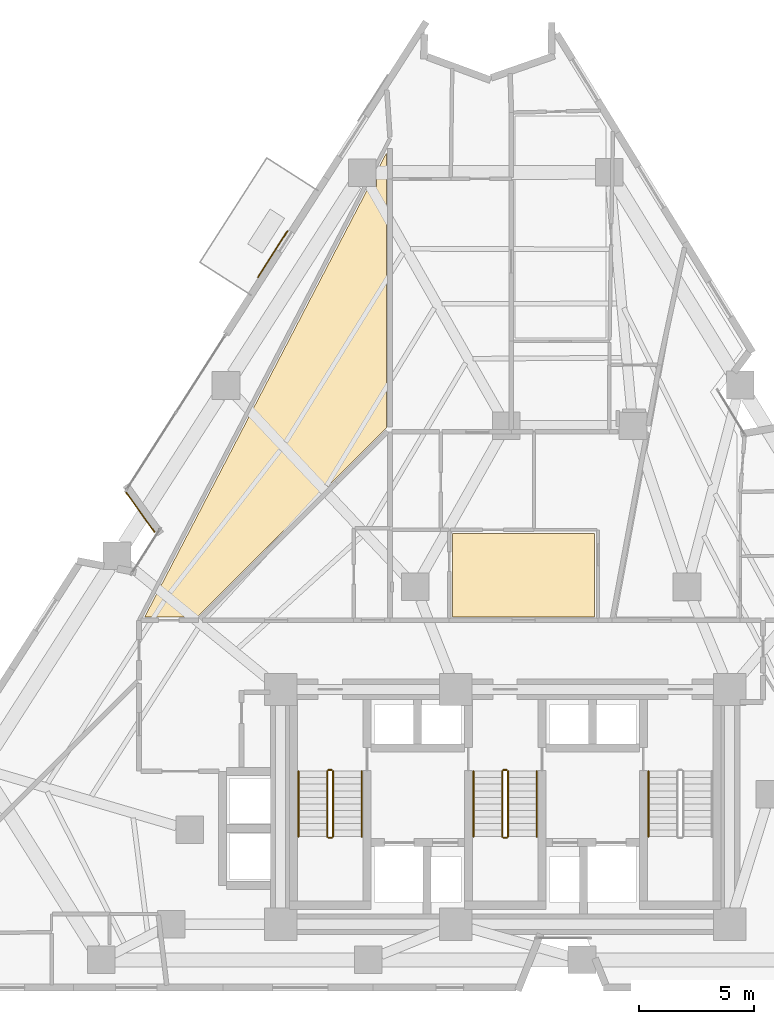
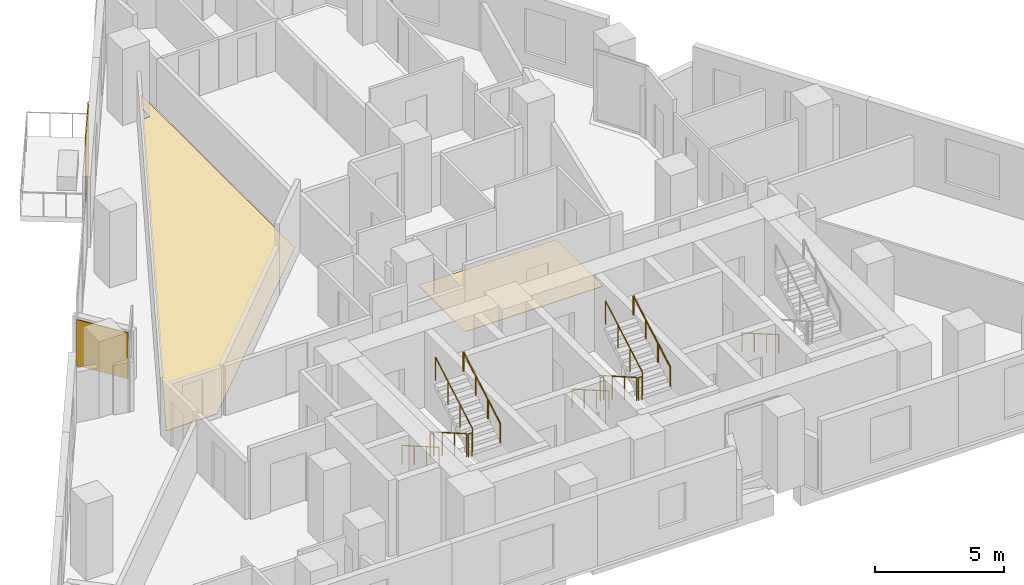
# One storey, part 11 of 13: 13 railings, 4 coverings.
"""IFC4 building model written with IfcOpenShell, lengths in metres."""

from ifc_helpers import new_model, si_unit, direction, frame, origin, origin_2d, place, context, subcontext, project, spatial, polyline, rectangle, circle, outline, extrude, material, layer, layer_set, type_object, element, save


model = new_model("IFC4")

# Units and contexts
model_context = context("Model", 3, precision=1e-05, world=origin(), true_north=direction((0.0, 1.0)))
body_context = subcontext(model_context, "Body", "Model", "MODEL_VIEW")
ifc_project = project(units=[si_unit("LENGTHUNIT", "METRE"), si_unit("AREAUNIT", "SQUARE_METRE"), si_unit("VOLUMEUNIT", "CUBIC_METRE"), si_unit("PLANEANGLEUNIT", "RADIAN"), si_unit("MASSUNIT", "GRAM", prefix="KILO")], contexts=[model_context])

# Site, building, storey
site_placement = place(None, origin())
site = spatial("IfcSite", under=ifc_project, at=site_placement, CompositionType="ELEMENT")
building_placement = place(site_placement, origin())
building = spatial("IfcBuilding", under=site, at=building_placement, Name="Almagre Mirador Tower", CompositionType="ELEMENT")
storey_placement = place(building_placement, frame((0.0, 0.0, 82.199951171875)))
storey = spatial("IfcBuildingStorey", under=building, at=storey_placement, Name="L20", CompositionType="ELEMENT", Elevation=82.199951171875)

# Coverings
ifc_material_1 = material(Name="Almagre terracotta architectural cladding", Category="masonry")
ifc_layer_1 = layer(ifc_material_1, 0.044921875)
ifc_layer_set_1 = layer_set([ifc_layer_1], Name="Almagre terracotta architectural cladding")
covering_type_1 = type_object("IfcCoveringType", Name="COV-CLAD-ALMAGRE", PredefinedType="CLADDING", material=ifc_layer_set_1)
covering_1_placement = place(storey_placement, frame((21.4404296875, 22.4638671875, 0.10009765625), z_axis=(0.0, 0.0, 1.0), x_axis=(-0.583186817535, 0.812338067466, 0.0)))
element("IfcCovering", 1, at=covering_1_placement, inside=storey, type_object=covering_type_1, Name="L20 almagre terracotta pier cladding", PredefinedType="CLADDING", context=body_context, shape_type="SweptSolid", body=[
    extrude(rectangle(XDim=2.193115234375, YDim=0.044921875, at=origin_2d()), origin(), (0.0, 0.0, 1.0), 2.175048828125),
])
covering_2_placement = place(storey_placement, frame((27.205322265625, 33.656005859375, 0.10009765625), z_axis=(0.0, 0.0, 1.0), x_axis=(0.53944697543, 0.842019572635, 0.0)))
element("IfcCovering", 2, at=covering_2_placement, inside=storey, type_object=covering_type_1, Name="L20 almagre terracotta pier cladding", PredefinedType="CLADDING", context=body_context, shape_type="SweptSolid", body=[
    extrude(rectangle(XDim=2.39990234375, YDim=0.044921875, at=origin_2d()), origin(), (0.0, 0.0, 1.0), 3.14990234375),
])
ifc_material_2 = material(Name="Engineered white oak flooring", Category="wood")
ifc_layer_2 = layer(ifc_material_2, 0.01806640625)
ifc_layer_set_2 = layer_set([ifc_layer_2], Name="Engineered white oak flooring")
covering_type_2 = type_object("IfcCoveringType", Name="COV-FLR-OAK-18", PredefinedType="FLOORING", material=ifc_layer_set_2)
covering_3_placement = place(storey_placement, origin())
element("IfcCovering", 3, at=covering_3_placement, inside=storey, type_object=covering_type_2, Name="L20 L20 Residents Reading Gallery G finish flooring", PredefinedType="FLOORING", context=body_context, shape_type="SweptSolid", body=[
    extrude(outline(polyline([(23.927978515625, 17.89990234375), (21.64697265625, 17.89990234375), (31.382080078125, 36.583984375), (31.702880859375, 36.583984375), (31.702880859375, 37.199951171875), (32.14990234375, 38.056884765625), (32.14990234375, 26.1220703125), (23.927978515625, 17.89990234375)])), origin(), (0.0, 0.0, 1.0), 0.01806640625),
])
covering_4_placement = place(storey_placement, origin())
element("IfcCovering", 4, at=covering_4_placement, inside=storey, type_object=covering_type_2, Name="L20 Unit L20-H Living and Dining Room finish flooring", PredefinedType="FLOORING", context=body_context, shape_type="SweptSolid", body=[
    extrude(outline(polyline([(35.02001953125, 21.530029296875), (41.18994140625, 21.530029296875), (41.18994140625, 17.89990234375), (35.02001953125, 17.89990234375), (35.02001953125, 21.530029296875)])), origin(), (0.0, 0.0, 1.0), 0.01806640625),
])

# Railings
ifc_material_3 = material(Name="Painted galvanized steel", Category="steel")
railing_type_1 = type_object("IfcRailingType", Name="RLG-GRD-1100", PredefinedType="GUARDRAIL", material=ifc_material_3)
railing_1_placement = place(storey_placement, frame((29.574951171875, 11.199951171875, 0.16357421875)))
element("IfcRailing", 5, at=railing_1_placement, inside=storey, type_object=railing_type_1, Name="L20 ST-1 stair guard 1", PredefinedType="GUARDRAIL", context=body_context, shape_type="SweptSolid", body=[
    extrude(circle(Radius=0.02392578125, at=origin_2d()), frame((0.0, 0.0, 1.09619140625), z_axis=(0.0, -0.867194282975, 0.497969954491), x_axis=(1.0, 0.0, 0.0)), (0.0, 0.0, 1.0), 3.286376953125),
    extrude(circle(Radius=0.02099609375, at=origin_2d()), origin(), (0.0, 0.0, 1.0), 1.072021484375),
    extrude(circle(Radius=0.02099609375, at=origin_2d()), frame((0.0, -0.949951171875, 0.54541015625)), (0.0, 0.0, 1.0), 1.072021484375),
    extrude(circle(Radius=0.02099609375, at=origin_2d()), frame((0.0, -1.89990234375, 1.091064453125)), (0.0, 0.0, 1.0), 1.072021484375),
    extrude(circle(Radius=0.02099609375, at=origin_2d()), frame((0.0, -2.849853515625, 1.636474609375)), (0.0, 0.0, 1.0), 1.072021484375),
])
railing_2_placement = place(storey_placement, frame((29.625, 8.300048828125, 1.800048828125)))
element("IfcRailing", 6, at=railing_2_placement, inside=storey, type_object=railing_type_1, Name="L20 ST-1 stair guard 2", PredefinedType="GUARDRAIL", context=body_context, shape_type="SweptSolid", body=[
    extrude(circle(Radius=0.02392578125, at=origin_2d()), frame((0.0, 0.0, 1.09619140625), z_axis=(1.0, 0.0, 0.0), x_axis=(0.0, 1.0, 0.0)), (0.0, 0.0, 1.0), 0.14990234375),
    extrude(circle(Radius=0.02099609375, at=origin_2d()), origin(), (0.0, 0.0, 1.0), 1.072021484375),
    extrude(circle(Radius=0.02099609375, at=origin_2d()), frame((0.14990234375, 0.0, 0.0)), (0.0, 0.0, 1.0), 1.072021484375),
])
railing_3_placement = place(storey_placement, frame((29.824951171875, 8.35009765625, 1.963623046875)))
element("IfcRailing", 7, at=railing_3_placement, inside=storey, type_object=railing_type_1, Name="L20 ST-1 stair guard 3", PredefinedType="GUARDRAIL", context=body_context, shape_type="SweptSolid", body=[
    extrude(circle(Radius=0.02392578125, at=origin_2d()), frame((0.0, 0.0, 1.09619140625), z_axis=(0.0, 0.867194282975, 0.497969954491), x_axis=(-1.0, 0.0, 0.0)), (0.0, 0.0, 1.0), 3.286376953125),
    extrude(circle(Radius=0.02099609375, at=origin_2d()), origin(), (0.0, 0.0, 1.0), 1.072021484375),
    extrude(circle(Radius=0.02099609375, at=origin_2d()), frame((0.0, 0.949951171875, 0.54541015625)), (0.0, 0.0, 1.0), 1.072021484375),
    extrude(circle(Radius=0.02099609375, at=origin_2d()), frame((0.0, 1.89990234375, 1.091064453125)), (0.0, 0.0, 1.0), 1.072021484375),
    extrude(circle(Radius=0.02099609375, at=origin_2d()), frame((0.0, 2.849853515625, 1.636474609375)), (0.0, 0.0, 1.0), 1.072021484375),
])
railing_4_placement = place(storey_placement, frame((29.625, 11.25, 0.0)))
element("IfcRailing", 8, at=railing_4_placement, inside=storey, type_object=railing_type_1, Name="L20 ST-1 stair guard 4", PredefinedType="GUARDRAIL", context=body_context, shape_type="SweptSolid", body=[
    extrude(circle(Radius=0.02392578125, at=origin_2d()), frame((0.0, 0.0, 1.09619140625), z_axis=(1.0, 0.0, 0.0), x_axis=(0.0, 1.0, 0.0)), (0.0, 0.0, 1.0), 0.14990234375),
    extrude(circle(Radius=0.02099609375, at=origin_2d()), origin(), (0.0, 0.0, 1.0), 1.072021484375),
    extrude(circle(Radius=0.02099609375, at=origin_2d()), frame((0.14990234375, 0.0, 0.0)), (0.0, 0.0, 1.0), 1.072021484375),
])
railing_5_placement = place(storey_placement, frame((37.175048828125, 11.199951171875, 0.16357421875)))
element("IfcRailing", 9, at=railing_5_placement, inside=storey, type_object=railing_type_1, Name="L20 ST-2 stair guard 1", PredefinedType="GUARDRAIL", context=body_context, shape_type="SweptSolid", body=[
    extrude(circle(Radius=0.02392578125, at=origin_2d()), frame((0.0, 0.0, 1.09619140625), z_axis=(0.0, -0.867194282975, 0.497969954491), x_axis=(1.0, 0.0, 0.0)), (0.0, 0.0, 1.0), 3.286376953125),
    extrude(circle(Radius=0.02099609375, at=origin_2d()), origin(), (0.0, 0.0, 1.0), 1.072021484375),
    extrude(circle(Radius=0.02099609375, at=origin_2d()), frame((0.0, -0.949951171875, 0.54541015625)), (0.0, 0.0, 1.0), 1.072021484375),
    extrude(circle(Radius=0.02099609375, at=origin_2d()), frame((0.0, -1.89990234375, 1.091064453125)), (0.0, 0.0, 1.0), 1.072021484375),
    extrude(circle(Radius=0.02099609375, at=origin_2d()), frame((0.0, -2.849853515625, 1.636474609375)), (0.0, 0.0, 1.0), 1.072021484375),
])
railing_6_placement = place(storey_placement, frame((37.22509765625, 8.300048828125, 1.800048828125)))
element("IfcRailing", 10, at=railing_6_placement, inside=storey, type_object=railing_type_1, Name="L20 ST-2 stair guard 2", PredefinedType="GUARDRAIL", context=body_context, shape_type="SweptSolid", body=[
    extrude(circle(Radius=0.02392578125, at=origin_2d()), frame((0.0, 0.0, 1.09619140625), z_axis=(1.0, 0.0, 0.0), x_axis=(0.0, 1.0, 0.0)), (0.0, 0.0, 1.0), 0.14990234375),
    extrude(circle(Radius=0.02099609375, at=origin_2d()), origin(), (0.0, 0.0, 1.0), 1.072021484375),
    extrude(circle(Radius=0.02099609375, at=origin_2d()), frame((0.14990234375, 0.0, 0.0)), (0.0, 0.0, 1.0), 1.072021484375),
])
railing_7_placement = place(storey_placement, frame((37.425048828125, 8.35009765625, 1.963623046875)))
element("IfcRailing", 11, at=railing_7_placement, inside=storey, type_object=railing_type_1, Name="L20 ST-2 stair guard 3", PredefinedType="GUARDRAIL", context=body_context, shape_type="SweptSolid", body=[
    extrude(circle(Radius=0.02392578125, at=origin_2d()), frame((0.0, 0.0, 1.09619140625), z_axis=(0.0, 0.867194282975, 0.497969954491), x_axis=(-1.0, 0.0, 0.0)), (0.0, 0.0, 1.0), 3.286376953125),
    extrude(circle(Radius=0.02099609375, at=origin_2d()), origin(), (0.0, 0.0, 1.0), 1.072021484375),
    extrude(circle(Radius=0.02099609375, at=origin_2d()), frame((0.0, 0.949951171875, 0.54541015625)), (0.0, 0.0, 1.0), 1.072021484375),
    extrude(circle(Radius=0.02099609375, at=origin_2d()), frame((0.0, 1.89990234375, 1.091064453125)), (0.0, 0.0, 1.0), 1.072021484375),
    extrude(circle(Radius=0.02099609375, at=origin_2d()), frame((0.0, 2.849853515625, 1.636474609375)), (0.0, 0.0, 1.0), 1.072021484375),
])
railing_8_placement = place(storey_placement, frame((37.22509765625, 11.25, 0.0)))
element("IfcRailing", 12, at=railing_8_placement, inside=storey, type_object=railing_type_1, Name="L20 ST-2 stair guard 4", PredefinedType="GUARDRAIL", context=body_context, shape_type="SweptSolid", body=[
    extrude(circle(Radius=0.02392578125, at=origin_2d()), frame((0.0, 0.0, 1.09619140625), z_axis=(1.0, 0.0, 0.0), x_axis=(0.0, 1.0, 0.0)), (0.0, 0.0, 1.0), 0.14990234375),
    extrude(circle(Radius=0.02099609375, at=origin_2d()), origin(), (0.0, 0.0, 1.0), 1.072021484375),
    extrude(circle(Radius=0.02099609375, at=origin_2d()), frame((0.14990234375, 0.0, 0.0)), (0.0, 0.0, 1.0), 1.072021484375),
])
ifc_material_4 = material(Name="Brushed stainless steel", Category="steel")
railing_type_2 = type_object("IfcRailingType", Name="RLG-HND-915", PredefinedType="HANDRAIL", material=ifc_material_4)
railing_9_placement = place(storey_placement, frame((28.324951171875, 11.199951171875, 0.16357421875)))
element("IfcRailing", 13, at=railing_9_placement, inside=storey, type_object=railing_type_2, Name="L20 ST-1 stair handrail 1", PredefinedType="HANDRAIL", context=body_context, shape_type="SweptSolid", body=[
    extrude(circle(Radius=0.02392578125, at=origin_2d()), frame((0.0, 0.0, 0.89111328125), z_axis=(0.0, -0.867194282975, 0.497969954491), x_axis=(1.0, 0.0, 0.0)), (0.0, 0.0, 1.0), 3.286376953125),
    extrude(circle(Radius=0.02099609375, at=origin_2d()), origin(), (0.0, 0.0, 1.0), 0.866943359375),
    extrude(circle(Radius=0.02099609375, at=origin_2d()), frame((0.0, -0.949951171875, 0.54541015625)), (0.0, 0.0, 1.0), 0.866943359375),
    extrude(circle(Radius=0.02099609375, at=origin_2d()), frame((0.0, -1.89990234375, 1.091064453125)), (0.0, 0.0, 1.0), 0.866943359375),
    extrude(circle(Radius=0.02099609375, at=origin_2d()), frame((0.0, -2.849853515625, 1.636474609375)), (0.0, 0.0, 1.0), 0.866943359375),
])
railing_10_placement = place(storey_placement, frame((31.074951171875, 8.35009765625, 1.963623046875)))
element("IfcRailing", 14, at=railing_10_placement, inside=storey, type_object=railing_type_2, Name="L20 ST-1 stair handrail 2", PredefinedType="HANDRAIL", context=body_context, shape_type="SweptSolid", body=[
    extrude(circle(Radius=0.02392578125, at=origin_2d()), frame((0.0, 0.0, 0.89111328125), z_axis=(0.0, 0.867194282975, 0.497969954491), x_axis=(-1.0, 0.0, 0.0)), (0.0, 0.0, 1.0), 3.286376953125),
    extrude(circle(Radius=0.02099609375, at=origin_2d()), origin(), (0.0, 0.0, 1.0), 0.866943359375),
    extrude(circle(Radius=0.02099609375, at=origin_2d()), frame((0.0, 0.949951171875, 0.54541015625)), (0.0, 0.0, 1.0), 0.866943359375),
    extrude(circle(Radius=0.02099609375, at=origin_2d()), frame((0.0, 1.89990234375, 1.091064453125)), (0.0, 0.0, 1.0), 0.866943359375),
    extrude(circle(Radius=0.02099609375, at=origin_2d()), frame((0.0, 2.849853515625, 1.636474609375)), (0.0, 0.0, 1.0), 0.866943359375),
])
railing_11_placement = place(storey_placement, frame((35.925048828125, 11.199951171875, 0.16357421875)))
element("IfcRailing", 15, at=railing_11_placement, inside=storey, type_object=railing_type_2, Name="L20 ST-2 stair handrail 1", PredefinedType="HANDRAIL", context=body_context, shape_type="SweptSolid", body=[
    extrude(circle(Radius=0.02392578125, at=origin_2d()), frame((0.0, 0.0, 0.89111328125), z_axis=(0.0, -0.867194282975, 0.497969954491), x_axis=(1.0, 0.0, 0.0)), (0.0, 0.0, 1.0), 3.286376953125),
    extrude(circle(Radius=0.02099609375, at=origin_2d()), origin(), (0.0, 0.0, 1.0), 0.866943359375),
    extrude(circle(Radius=0.02099609375, at=origin_2d()), frame((0.0, -0.949951171875, 0.54541015625)), (0.0, 0.0, 1.0), 0.866943359375),
    extrude(circle(Radius=0.02099609375, at=origin_2d()), frame((0.0, -1.89990234375, 1.091064453125)), (0.0, 0.0, 1.0), 0.866943359375),
    extrude(circle(Radius=0.02099609375, at=origin_2d()), frame((0.0, -2.849853515625, 1.636474609375)), (0.0, 0.0, 1.0), 0.866943359375),
])
railing_12_placement = place(storey_placement, frame((38.675048828125, 8.35009765625, 1.963623046875)))
element("IfcRailing", 16, at=railing_12_placement, inside=storey, type_object=railing_type_2, Name="L20 ST-2 stair handrail 2", PredefinedType="HANDRAIL", context=body_context, shape_type="SweptSolid", body=[
    extrude(circle(Radius=0.02392578125, at=origin_2d()), frame((0.0, 0.0, 0.89111328125), z_axis=(0.0, 0.867194282975, 0.497969954491), x_axis=(-1.0, 0.0, 0.0)), (0.0, 0.0, 1.0), 3.286376953125),
    extrude(circle(Radius=0.02099609375, at=origin_2d()), origin(), (0.0, 0.0, 1.0), 0.866943359375),
    extrude(circle(Radius=0.02099609375, at=origin_2d()), frame((0.0, 0.949951171875, 0.54541015625)), (0.0, 0.0, 1.0), 0.866943359375),
    extrude(circle(Radius=0.02099609375, at=origin_2d()), frame((0.0, 1.89990234375, 1.091064453125)), (0.0, 0.0, 1.0), 0.866943359375),
    extrude(circle(Radius=0.02099609375, at=origin_2d()), frame((0.0, 2.849853515625, 1.636474609375)), (0.0, 0.0, 1.0), 0.866943359375),
])
railing_13_placement = place(storey_placement, frame((43.52490234375, 11.199951171875, 0.16357421875)))
element("IfcRailing", 17, at=railing_13_placement, inside=storey, type_object=railing_type_2, Name="L20 ST-3 stair handrail 1", PredefinedType="HANDRAIL", context=body_context, shape_type="SweptSolid", body=[
    extrude(circle(Radius=0.02392578125, at=origin_2d()), frame((0.0, 0.0, 0.89111328125), z_axis=(0.0, -0.867194282975, 0.497969954491), x_axis=(1.0, 0.0, 0.0)), (0.0, 0.0, 1.0), 3.286376953125),
    extrude(circle(Radius=0.02099609375, at=origin_2d()), origin(), (0.0, 0.0, 1.0), 0.866943359375),
    extrude(circle(Radius=0.02099609375, at=origin_2d()), frame((0.0, -0.949951171875, 0.54541015625)), (0.0, 0.0, 1.0), 0.866943359375),
    extrude(circle(Radius=0.02099609375, at=origin_2d()), frame((0.0, -1.89990234375, 1.091064453125)), (0.0, 0.0, 1.0), 0.866943359375),
    extrude(circle(Radius=0.02099609375, at=origin_2d()), frame((0.0, -2.849853515625, 1.636474609375)), (0.0, 0.0, 1.0), 0.866943359375),
])

save(model, "model.ifc")
